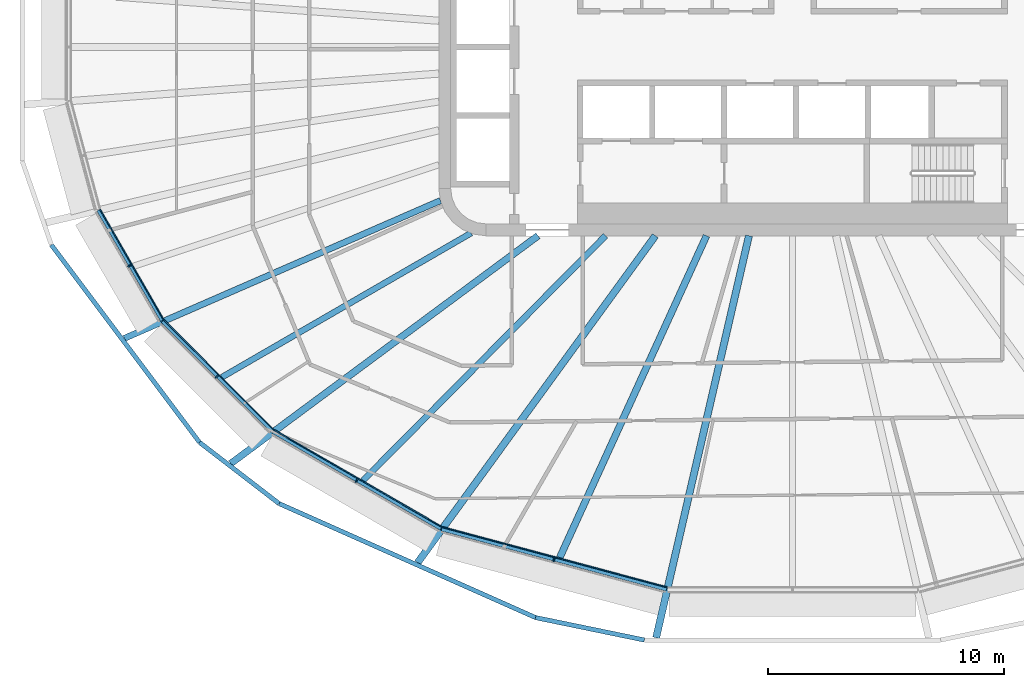
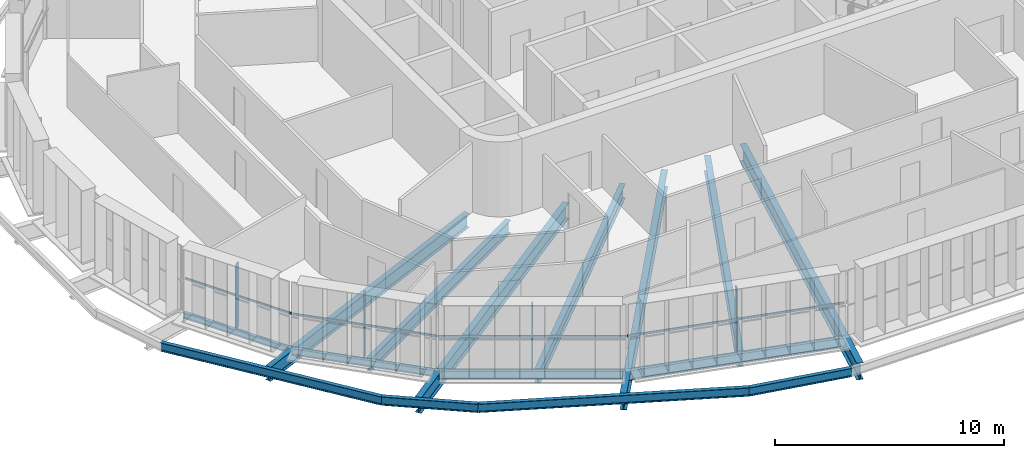
# One storey, part 1 of 21: 15 beams, 8 members, 4 elements without a shape of their own.
"""IFC4 building model written with IfcOpenShell, lengths in metres."""

from ifc_helpers import new_model, si_unit, direction, frame, origin, origin_2d, place, context, subcontext, project, spatial, rectangle, i_section, extrude, material, layer, layer_set, material_profile, profile_set, type_object, element, aggregate, save


model = new_model("IFC4")

# Units and contexts
model_context = context("Model", 3, precision=1e-05, world=origin(), true_north=direction((0.0, 1.0)))
body_context = subcontext(model_context, "Body", "Model", "MODEL_VIEW")
ifc_project = project(units=[si_unit("LENGTHUNIT", "METRE"), si_unit("AREAUNIT", "SQUARE_METRE"), si_unit("VOLUMEUNIT", "CUBIC_METRE"), si_unit("PLANEANGLEUNIT", "RADIAN"), si_unit("MASSUNIT", "GRAM", prefix="KILO")], contexts=[model_context])

# Site, building, storey
site_placement = place(None, origin())
site = spatial("IfcSite", under=ifc_project, at=site_placement, CompositionType="ELEMENT")
building_placement = place(site_placement, origin())
building = spatial("IfcBuilding", under=site, at=building_placement, Name="Sahrelin Media Tower", CompositionType="ELEMENT")
storey_placement = place(building_placement, frame((0.0, 0.0, 193.60009765625)))
storey = spatial("IfcBuildingStorey", under=building, at=storey_placement, Name="L41", CompositionType="ELEMENT", Elevation=193.60009765625)

# Beams
ifc_material_1 = material(Name="Steel S355", Category="steel")
ifc_material_profile_1 = material_profile(ifc_material_1, i_section(OverallWidth=0.1650390625, OverallDepth=0.303466796875, WebThickness=0.006103515625, FlangeThickness=0.01025390625, FilletRadius=0.0087890625, at=origin_2d()), Name="UB 305x165x40")
ifc_profile_set_1 = profile_set([ifc_material_profile_1], Name="Steel S355")
beam_type_1 = type_object("IfcBeamType", Name="Edge beam EB2", PredefinedType="BEAM", material=ifc_profile_set_1)
beam_1_placement = place(storey_placement, frame((-26.728759765625, -11.5927734375, -0.3017578125), z_axis=(-0.500016705875, 0.866015758428, 0.0), x_axis=(-0.866015758428, -0.500016705875, 0.0)))
element("IfcBeam", 1, at=beam_1_placement, inside=storey, type_object=beam_type_1, Name="Edge beam L41-11", PredefinedType="BEAM", context=body_context, shape_type="SweptSolid", body=[
    extrude(i_section(OverallWidth=0.1650390625, OverallDepth=0.303466796875, WebThickness=0.006103515625, FlangeThickness=0.01025390625, FilletRadius=0.0087890625, at=origin_2d()), origin(), (0.0, 0.0, 1.0), 5.410400390625),
])
ifc_material_profile_2 = material_profile(ifc_material_1, i_section(OverallWidth=0.17138671875, OverallDepth=0.35498046875, WebThickness=0.00732421875, FlangeThickness=0.011474609375, FilletRadius=0.01025390625, at=origin_2d()), Name="UB 356x171x51")
ifc_profile_set_2 = profile_set([ifc_material_profile_2], Name="Steel S355")
beam_type_2 = type_object("IfcBeamType", Name="Edge beam EB3", PredefinedType="BEAM", material=ifc_profile_set_2)
beam_2_placement = place(storey_placement, frame((-22.05224609375, -16.27490234375, -0.32763671875), z_axis=(-0.70708825429, 0.707125307597, 0.0), x_axis=(-0.707125307597, -0.70708825429, 0.0)))
element("IfcBeam", 2, at=beam_2_placement, inside=storey, type_object=beam_type_2, Name="Edge beam L41-10", PredefinedType="BEAM", context=body_context, shape_type="SweptSolid", body=[
    extrude(i_section(OverallWidth=0.17138671875, OverallDepth=0.35498046875, WebThickness=0.00732421875, FlangeThickness=0.011474609375, FilletRadius=0.01025390625, at=origin_2d()), origin(), (0.0, 0.0, 1.0), 6.5888671875),
])
ifc_material_profile_3 = material_profile(ifc_material_1, i_section(OverallWidth=0.1904296875, OverallDepth=0.45703125, WebThickness=0.009033203125, FlangeThickness=0.014404296875, FilletRadius=0.01025390625, at=origin_2d()), Name="UB 457x191x74")
ifc_profile_set_3 = profile_set([ifc_material_profile_3], Name="Steel S355")
beam_type_3 = type_object("IfcBeamType", Name="Edge beam EB5", PredefinedType="BEAM", material=ifc_profile_set_3)
beam_3_placement = place(storey_placement, frame((-14.901611328125, -20.40771484375, -0.378662109375), z_axis=(-0.8660092336, 0.500028006535, 0.0), x_axis=(-0.500028006535, -0.8660092336, 0.0)))
element("IfcBeam", 3, at=beam_3_placement, inside=storey, type_object=beam_type_3, Name="Edge beam L41-09", PredefinedType="BEAM", context=body_context, shape_type="SweptSolid", body=[
    extrude(i_section(OverallWidth=0.1904296875, OverallDepth=0.45703125, WebThickness=0.009033203125, FlangeThickness=0.014404296875, FilletRadius=0.01025390625, at=origin_2d()), origin(), (0.0, 0.0, 1.0), 8.23046875),
])
ifc_material_profile_4 = material_profile(ifc_material_1, i_section(OverallWidth=0.208740234375, OverallDepth=0.5283203125, WebThickness=0.009521484375, FlangeThickness=0.01318359375, FilletRadius=0.0126953125, at=origin_2d()), Name="UB 533x210x82")
ifc_profile_set_4 = profile_set([ifc_material_profile_4], Name="Steel S355")
beam_type_4 = type_object("IfcBeamType", Name="Edge beam EB6", PredefinedType="BEAM", material=ifc_profile_set_4)
beam_4_placement = place(storey_placement, frame((-5.333984375, -22.97509765625, -0.414306640625), z_axis=(-0.965928634298, 0.258808565244, 0.0), x_axis=(-0.258808565244, -0.965928634298, 0.0)))
element("IfcBeam", 4, at=beam_4_placement, inside=storey, type_object=beam_type_4, Name="Edge beam L41-08", PredefinedType="BEAM", context=body_context, shape_type="SweptSolid", body=[
    extrude(i_section(OverallWidth=0.208740234375, OverallDepth=0.5283203125, WebThickness=0.009521484375, FlangeThickness=0.01318359375, FilletRadius=0.0126953125, at=origin_2d()), origin(), (0.0, 0.0, 1.0), 9.87744140625),
])

# Curtain wall, member
ifc_material_2 = material(Name="Champagne anodised aluminium 6063-T6", Category="aluminium")
ifc_layer = layer(ifc_material_2, 0.14990234375)
ifc_layer_set = layer_set([ifc_layer], Name="Tower ribbon curtain wall")
curtain_wall_type = type_object("IfcCurtainWallType", Name="Tower ribbon curtain wall", PredefinedType="NOTDEFINED", material=ifc_layer_set)
curtain_wall_1_placement = place(storey_placement, frame((-28.211181640625, -9.324951171875, 0.0), z_axis=(0.0, 0.0, 1.0), x_axis=(1.0, 0.0, 0.0)))
curtain_wall_1 = element("IfcCurtainWall", 5, at=curtain_wall_1_placement, inside=storey, type_object=curtain_wall_type, Name="L41:CW:L41-14", PredefinedType="NOTDEFINED")
ifc_material_profile_5 = material_profile(ifc_material_2, rectangle(XDim=0.06005859375, YDim=0.175048828125, at=origin_2d()), Name="Mullion 60x175")
ifc_profile_set_5 = profile_set([ifc_material_profile_5], Name="Champagne anodised aluminium 6063-T6")
member_type_1 = type_object("IfcMemberType", Name="Mullion 60x175 CW1B", PredefinedType="MULLION", material=ifc_profile_set_5)
member_1_placement = place(storey_placement, frame((-28.118408203125, -9.271240234375, 0.0), z_axis=(0.0, 0.0, 1.0), x_axis=(0.499996976998, -0.866027149108, 0.0)))
member_1 = element("IfcMember", 6, at=member_1_placement, type_object=member_type_1, Name="L41:CWM:L41-14", PredefinedType="MULLION", context=body_context, shape_type="SweptSolid", body=[
    extrude(rectangle(XDim=0.06005859375, YDim=0.175048828125, at=origin_2d()), origin(), (0.0, 0.0, 1.0), 3.448486328125),
])

curtain_wall_2_placement = place(storey_placement, frame((-24.48779296875, -14.05126953125, 0.0), z_axis=(0.0, 0.0, 1.0), x_axis=(1.0, 0.0, 0.0)))
curtain_wall_2 = element("IfcCurtainWall", 7, at=curtain_wall_2_placement, inside=storey, type_object=curtain_wall_type, Name="L41:CW:L41-15", PredefinedType="NOTDEFINED")
member_2_placement = place(storey_placement, frame((-24.411865234375, -13.975341796875, 0.0), z_axis=(0.0, 0.0, 1.0), x_axis=(0.707106781187, -0.707106781187, 0.0)))
member_2 = element("IfcMember", 8, at=member_2_placement, type_object=member_type_1, Name="L41:CWM:L41-15", PredefinedType="MULLION", context=body_context, shape_type="SweptSolid", body=[
    extrude(rectangle(XDim=0.06005859375, YDim=0.175048828125, at=origin_2d()), origin(), (0.0, 0.0, 1.0), 3.448486328125),
])

curtain_wall_3_placement = place(storey_placement, frame((-18.54052734375, -18.47998046875, 0.0), z_axis=(0.0, 0.0, 1.0), x_axis=(1.0, 0.0, 0.0)))
curtain_wall_3 = element("IfcCurtainWall", 9, at=curtain_wall_3_placement, inside=storey, type_object=curtain_wall_type, Name="L41:CW:L41-16", PredefinedType="NOTDEFINED")
member_3_placement = place(storey_placement, frame((-18.48681640625, -18.38671875, 0.0), z_axis=(0.0, 0.0, 1.0), x_axis=(0.86602365845, -0.500003022996, 0.0)))
member_3 = element("IfcMember", 10, at=member_3_placement, type_object=member_type_1, Name="L41:CWM:L41-16", PredefinedType="MULLION", context=body_context, shape_type="SweptSolid", body=[
    extrude(rectangle(XDim=0.06005859375, YDim=0.175048828125, at=origin_2d()), origin(), (0.0, 0.0, 1.0), 3.448486328125),
])

curtain_wall_4_placement = place(storey_placement, frame((-10.143310546875, -21.841796875, 0.0), z_axis=(0.0, 0.0, 1.0), x_axis=(1.0, 0.0, 0.0)))
curtain_wall_4 = element("IfcCurtainWall", 11, at=curtain_wall_4_placement, inside=storey, type_object=curtain_wall_type, Name="L41:CW:L41-17", PredefinedType="NOTDEFINED")
member_4_placement = place(storey_placement, frame((-10.115478515625, -21.73779296875, 0.0), z_axis=(0.0, 0.0, 1.0), x_axis=(0.965924922834, -0.258822416818, 0.0)))
member_4 = element("IfcMember", 12, at=member_4_placement, type_object=member_type_1, Name="L41:CWM:L41-17", PredefinedType="MULLION", context=body_context, shape_type="SweptSolid", body=[
    extrude(rectangle(XDim=0.06005859375, YDim=0.175048828125, at=origin_2d()), origin(), (0.0, 0.0, 1.0), 3.448486328125),
])

# Beams
ifc_material_profile_6 = material_profile(ifc_material_1, i_section(OverallWidth=0.291748046875, OverallDepth=0.8349609375, WebThickness=0.013916015625, FlangeThickness=0.018798828125, FilletRadius=0.017822265625, at=origin_2d()), Name="UB 838x292x176")
ifc_profile_set_6 = profile_set([ifc_material_profile_6], Name="Steel S355")
beam_type_5 = type_object("IfcBeamType", Name="Radial primary beam PB10", PredefinedType="BEAM", material=ifc_profile_set_6)
beam_5_placement = place(storey_placement, frame((-10.793701171875, -8.0, -0.567626953125), z_axis=(-0.803387610254, -0.595456419641, 0.0), x_axis=(0.595456419641, -0.803387610254, 0.0)))
element("IfcBeam", 13, at=beam_5_placement, inside=storey, type_object=beam_type_5, Name="Radial beam L41-16", PredefinedType="BEAM", context=body_context, shape_type="SweptSolid", body=[
    extrude(i_section(OverallWidth=0.291748046875, OverallDepth=0.8349609375, WebThickness=0.013916015625, FlangeThickness=0.018798828125, FilletRadius=0.017822265625, at=origin_2d()), origin(), (0.0, 0.0, 1.0), 16.22314453125),
])
ifc_material_profile_7 = material_profile(ifc_material_1, i_section(OverallWidth=0.30322265625, OverallDepth=0.903076171875, WebThickness=0.01513671875, FlangeThickness=0.020263671875, FilletRadius=0.01904296875, at=origin_2d()), Name="UB 914x305x201")
ifc_profile_set_7 = profile_set([ifc_material_profile_7], Name="Steel S355")
beam_type_6 = type_object("IfcBeamType", Name="Radial primary beam PB11", PredefinedType="BEAM", material=ifc_profile_set_7)
beam_6_placement = place(storey_placement, frame((-5.8173828125, -8.0, -0.6015625), z_axis=(-0.58812766709, -0.808768104714, 0.0), x_axis=(0.808768104714, -0.58812766709, 0.0)))
element("IfcBeam", 14, at=beam_6_placement, inside=storey, type_object=beam_type_6, Name="Radial beam L41-17", PredefinedType="BEAM", context=body_context, shape_type="SweptSolid", body=[
    extrude(i_section(OverallWidth=0.30322265625, OverallDepth=0.903076171875, WebThickness=0.01513671875, FlangeThickness=0.020263671875, FilletRadius=0.01904296875, at=origin_2d()), origin(), (0.0, 0.0, 1.0), 17.144287109375),
])
beam_7_placement = place(storey_placement, frame((-1.846923828125, -8.0, -0.6015625), z_axis=(-0.224943059237, -0.974371910567, 0.0), x_axis=(0.974371910567, -0.224943059237, 0.0)))
element("IfcBeam", 15, at=beam_7_placement, inside=storey, type_object=beam_type_6, Name="Radial beam L41-18", PredefinedType="BEAM", context=body_context, shape_type="SweptSolid", body=[
    extrude(i_section(OverallWidth=0.30322265625, OverallDepth=0.903076171875, WebThickness=0.01513671875, FlangeThickness=0.020263671875, FilletRadius=0.01904296875, at=origin_2d()), origin(), (0.0, 0.0, 1.0), 17.4990234375),
])
ifc_material_profile_8 = material_profile(ifc_material_1, i_section(OverallWidth=0.26513671875, OverallDepth=0.75390625, WebThickness=0.0126953125, FlangeThickness=0.017578125, FilletRadius=0.0166015625, at=origin_2d()), Name="UB 762x267x147")
ifc_profile_set_8 = profile_set([ifc_material_profile_8], Name="Steel S355")
beam_type_7 = type_object("IfcBeamType", Name="Radial primary beam PB9", PredefinedType="BEAM", material=ifc_profile_set_8)
beam_8_placement = place(storey_placement, frame((-14.93310546875, -6.5078125, -0.527099609375), z_axis=(-0.916731081727, -0.399504848275, 0.0), x_axis=(0.399504848275, -0.916731081727, 0.0)))
element("IfcBeam", 16, at=beam_8_placement, inside=storey, type_object=beam_type_7, Name="Radial beam L41-15", PredefinedType="BEAM", context=body_context, shape_type="SweptSolid", body=[
    extrude(i_section(OverallWidth=0.26513671875, OverallDepth=0.75390625, WebThickness=0.0126953125, FlangeThickness=0.017578125, FilletRadius=0.0166015625, at=origin_2d()), origin(), (0.0, 0.0, 1.0), 14.625),
])
ifc_material_profile_9 = material_profile(ifc_material_1, i_section(OverallWidth=0.291748046875, OverallDepth=0.8349609375, WebThickness=0.013916015625, FlangeThickness=0.018798828125, FilletRadius=0.017822265625, at=origin_2d()), Name="UB 838x292x176")
ifc_profile_set_9 = profile_set([ifc_material_profile_9], Name="Steel S355")
beam_type_8 = type_object("IfcBeamType", Name="Radial secondary beam SB10", PredefinedType="BEAM", material=ifc_profile_set_9)
beam_9_placement = place(storey_placement, frame((-3.647705078125, -8.0, -0.567626953125), z_axis=(-0.414888908569, -0.909872075374, 0.0), x_axis=(0.909872075374, -0.414888908569, 0.0)))
element("IfcBeam", 17, at=beam_9_placement, inside=storey, type_object=beam_type_8, Name="Secondary beam L41-17", PredefinedType="BEAM", context=body_context, shape_type="SweptSolid", body=[
    extrude(i_section(OverallWidth=0.291748046875, OverallDepth=0.8349609375, WebThickness=0.013916015625, FlangeThickness=0.018798828125, FilletRadius=0.017822265625, at=origin_2d()), origin(), (0.0, 0.0, 1.0), 15.003173828125),
])
ifc_material_profile_10 = material_profile(ifc_material_1, i_section(OverallWidth=0.2529296875, OverallDepth=0.677978515625, WebThickness=0.01171875, FlangeThickness=0.01611328125, FilletRadius=0.01513671875, at=origin_2d()), Name="UB 686x254x125")
ifc_profile_set_10 = profile_set([ifc_material_profile_10], Name="Steel S355")
beam_type_9 = type_object("IfcBeamType", Name="Radial secondary beam SB8", PredefinedType="BEAM", material=ifc_profile_set_10)
beam_10_placement = place(storey_placement, frame((-13.63134765625, -7.884765625, -0.489013671875), z_axis=(-0.865627368976, -0.500688783658, 0.0), x_axis=(0.500688783658, -0.865627368976, 0.0)))
element("IfcBeam", 18, at=beam_10_placement, inside=storey, type_object=beam_type_9, Name="Secondary beam L41-15", PredefinedType="BEAM", context=body_context, shape_type="SweptSolid", body=[
    extrude(i_section(OverallWidth=0.2529296875, OverallDepth=0.677978515625, WebThickness=0.01171875, FlangeThickness=0.01611328125, FilletRadius=0.01513671875, at=origin_2d()), origin(), (0.0, 0.0, 1.0), 12.215087890625),
])
ifc_material_profile_11 = material_profile(ifc_material_1, i_section(OverallWidth=0.26513671875, OverallDepth=0.75390625, WebThickness=0.0126953125, FlangeThickness=0.017578125, FilletRadius=0.0166015625, at=origin_2d()), Name="UB 762x267x147")
ifc_profile_set_11 = profile_set([ifc_material_profile_11], Name="Steel S355")
beam_type_10 = type_object("IfcBeamType", Name="Radial secondary beam SB9", PredefinedType="BEAM", material=ifc_profile_set_11)
beam_11_placement = place(storey_placement, frame((-7.927490234375, -8.0, -0.527099609375), z_axis=(-0.70389286124, -0.710306159269, 0.0), x_axis=(0.710306159269, -0.70389286124, 0.0)))
element("IfcBeam", 19, at=beam_11_placement, inside=storey, type_object=beam_type_10, Name="Secondary beam L41-16", PredefinedType="BEAM", context=body_context, shape_type="SweptSolid", body=[
    extrude(i_section(OverallWidth=0.26513671875, OverallDepth=0.75390625, WebThickness=0.0126953125, FlangeThickness=0.017578125, FilletRadius=0.0166015625, at=origin_2d()), origin(), (0.0, 0.0, 1.0), 14.6181640625),
])
ifc_material_profile_12 = material_profile(ifc_material_1, i_section(OverallWidth=0.1904296875, OverallDepth=0.45703125, WebThickness=0.009033203125, FlangeThickness=0.014404296875, FilletRadius=0.01025390625, at=origin_2d()), Name="UB 457x191x74")
ifc_profile_set_12 = profile_set([ifc_material_profile_12], Name="Steel S355")
beam_type_11 = type_object("IfcBeamType", Name="Tie chord TC5", PredefinedType="BEAM", material=ifc_profile_set_12)
beam_12_placement = place(storey_placement, frame((-31.434814453125, -8.384033203125, -0.378662109375), z_axis=(0.600055947805, -0.799958036089, 0.0), x_axis=(0.799958036089, 0.600055947805, 0.0)))
element("IfcBeam", 20, at=beam_12_placement, inside=storey, type_object=beam_type_11, Name="Tie chord L41-14", PredefinedType="BEAM", context=body_context, shape_type="SweptSolid", body=[
    extrude(i_section(OverallWidth=0.1904296875, OverallDepth=0.45703125, WebThickness=0.009033203125, FlangeThickness=0.014404296875, FilletRadius=0.01025390625, at=origin_2d()), origin(), (0.0, 0.0, 1.0), 10.47265625),
])
beam_13_placement = place(storey_placement, frame((-25.150634765625, -16.76171875, -0.378662109375), z_axis=(0.792457678951, -0.609926903056, 0.0), x_axis=(0.609926903056, 0.792457678951, 0.0)))
element("IfcBeam", 21, at=beam_13_placement, inside=storey, type_object=beam_type_11, Name="Tie chord L41-15", PredefinedType="BEAM", context=body_context, shape_type="SweptSolid", body=[
    extrude(i_section(OverallWidth=0.1904296875, OverallDepth=0.45703125, WebThickness=0.009033203125, FlangeThickness=0.014404296875, FilletRadius=0.01025390625, at=origin_2d()), origin(), (0.0, 0.0, 1.0), 4.25732421875),
])
beam_14_placement = place(storey_placement, frame((-21.77685546875, -19.3583984375, -0.378662109375), z_axis=(0.913828453148, -0.406100428733, 0.0), x_axis=(0.406100428733, 0.913828453148, 0.0)))
element("IfcBeam", 22, at=beam_14_placement, inside=storey, type_object=beam_type_11, Name="Tie chord L41-16", PredefinedType="BEAM", context=body_context, shape_type="SweptSolid", body=[
    extrude(i_section(OverallWidth=0.1904296875, OverallDepth=0.45703125, WebThickness=0.009033203125, FlangeThickness=0.014404296875, FilletRadius=0.01025390625, at=origin_2d()), origin(), (0.0, 0.0, 1.0), 11.91064453125),
])
beam_15_placement = place(storey_placement, frame((-10.892578125, -24.1953125, -0.378662109375), z_axis=(0.979389778149, -0.201979361463, 0.0), x_axis=(0.201979361463, 0.979389778149, 0.0)))
element("IfcBeam", 23, at=beam_15_placement, inside=storey, type_object=beam_type_11, Name="Tie chord L41-17", PredefinedType="BEAM", context=body_context, shape_type="SweptSolid", body=[
    extrude(i_section(OverallWidth=0.1904296875, OverallDepth=0.45703125, WebThickness=0.009033203125, FlangeThickness=0.014404296875, FilletRadius=0.01025390625, at=origin_2d()), origin(), (0.0, 0.0, 1.0), 4.70556640625),
])

# Member
ifc_material_profile_13 = material_profile(ifc_material_2, rectangle(XDim=0.050048828125, YDim=0.110107421875, at=origin_2d()), Name="Transom 50x110")
ifc_profile_set_13 = profile_set([ifc_material_profile_13], Name="Champagne anodised aluminium 6063-T6")
member_type_2 = type_object("IfcMemberType", Name="Transom 50x110 CW1B", PredefinedType="USERDEFINED", material=ifc_profile_set_13)
member_5_placement = place(storey_placement, frame((-29.365478515625, -6.8857421875, 1.599853515625), z_axis=(0.499985686398, -0.866033667589, 0.0), x_axis=(0.866033667589, 0.499985686398, 0.0)))
member_5 = element("IfcMember", 24, at=member_5_placement, type_object=member_type_2, Name="L41:CWT:L41-14", ObjectType="TRANSOM", PredefinedType="USERDEFINED", context=body_context, shape_type="SweptSolid", body=[
    extrude(rectangle(XDim=0.050048828125, YDim=0.110107421875, at=origin_2d()), origin(), (0.0, 0.0, 1.0), 5.379150390625),
])

aggregate(curtain_wall_1, [member_1, member_5])

member_6_placement = place(storey_placement, frame((-26.650634765625, -11.577392578125, 1.599853515625), z_axis=(0.707106781187, -0.707106781187, 0.0), x_axis=(0.707106781187, 0.707106781187, 0.0)))
member_6 = element("IfcMember", 25, at=member_6_placement, type_object=member_type_2, Name="L41:CWT:L41-15", ObjectType="TRANSOM", PredefinedType="USERDEFINED", context=body_context, shape_type="SweptSolid", body=[
    extrude(rectangle(XDim=0.050048828125, YDim=0.110107421875, at=origin_2d()), origin(), (0.0, 0.0, 1.0), 6.557373046875),
])

aggregate(curtain_wall_2, [member_2, member_6])

member_7_placement = place(storey_placement, frame((-21.980712890625, -16.239501953125, 1.599853515625), z_axis=(0.866020958405, -0.500007699544, 0.0), x_axis=(0.500007699544, 0.866020958405, 0.0)))
member_7 = element("IfcMember", 26, at=member_7_placement, type_object=member_type_2, Name="L41:CWT:L41-16", ObjectType="TRANSOM", PredefinedType="USERDEFINED", context=body_context, shape_type="SweptSolid", body=[
    extrude(rectangle(XDim=0.050048828125, YDim=0.110107421875, at=origin_2d()), origin(), (0.0, 0.0, 1.0), 8.198974609375),
])

aggregate(curtain_wall_3, [member_3, member_7])

member_8_placement = place(storey_placement, frame((-14.841796875, -20.35498046875, 1.599853515625), z_axis=(0.965921045244, -0.258836887547, 0.0), x_axis=(0.258836887547, 0.965921045244, 0.0)))
member_8 = element("IfcMember", 27, at=member_8_placement, type_object=member_type_2, Name="L41:CWT:L41-17", ObjectType="TRANSOM", PredefinedType="USERDEFINED", context=body_context, shape_type="SweptSolid", body=[
    extrude(rectangle(XDim=0.050048828125, YDim=0.110107421875, at=origin_2d()), origin(), (0.0, 0.0, 1.0), 9.84619140625),
])

aggregate(curtain_wall_4, [member_4, member_8])

save(model, "model.ifc")
